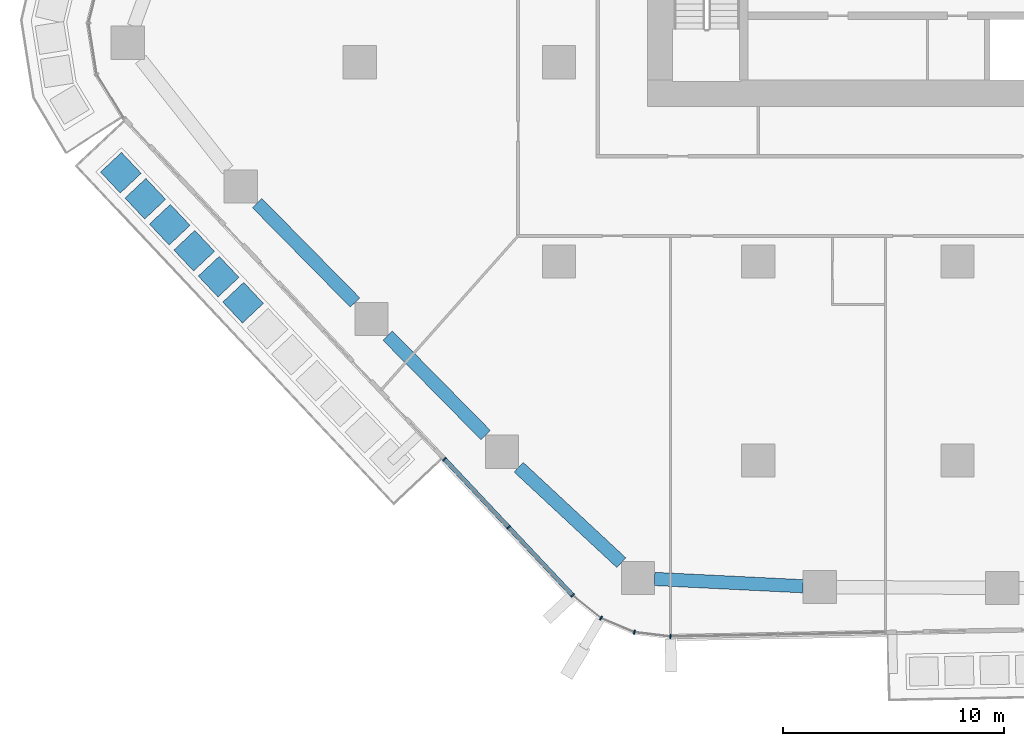
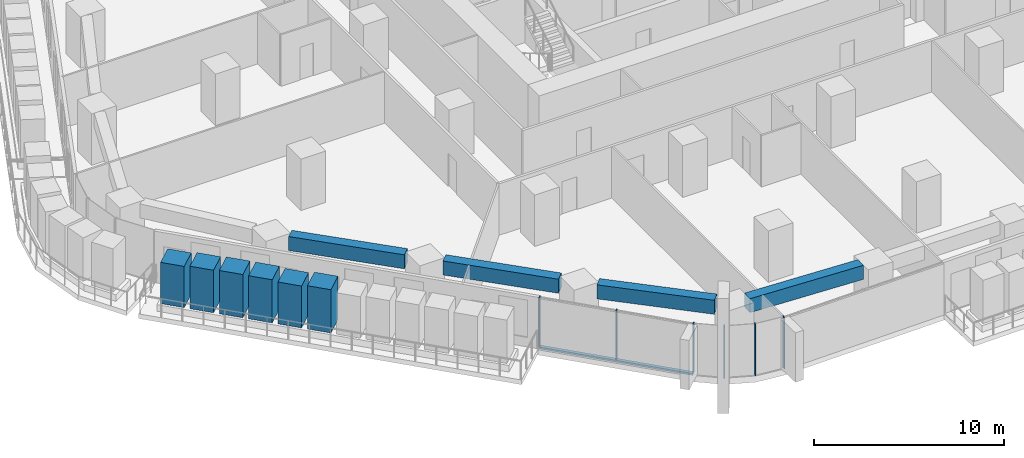
# One storey, part 2 of 25: 13 members, 4 beams, 2 elements without a shape of their own.
"""IFC4 building model written with IfcOpenShell, lengths in metres."""

import ifcopenshell
import ifcopenshell.guid

model = None  # the IFC model being written
_history = None  # IfcOwnerHistory: only IFC2X3 demands one
_inside = {}  # id of a spatial element -> (the spatial element, [elements in it])
_under = {}  # id of a project, library or spatial element -> (it, [spatial elements below it])
_declared = {}  # id of a project -> (the project, [libraries it declares])
_typed = {}  # id of a type object -> (the type object, [elements of that type])
_made_of = {}  # id of a material, layer set ... -> (it, [elements and type objects made of it])


def new_model(schema):
    """Start an empty IFC model of exactly this schema.

    Asked for "IFC4X3", IfcOpenShell would pick the latest addendum, in which some entities
    have other attributes; the version numbers below select the first issue.
    IFC2X3 requires an IfcOwnerHistory on every rooted entity: one is made here for all.
    """
    global model, _history
    if schema == "IFC4X3":
        model = ifcopenshell.file(schema_version=(4, 3, 0, 0))
    else:
        model = ifcopenshell.file(schema=schema)
    _inside.clear()
    _under.clear()
    _declared.clear()
    _typed.clear()
    _made_of.clear()
    _history = None
    if model.schema == "IFC2X3":
        org = make("IfcOrganization", Name="unknown")
        user = make(
            "IfcPersonAndOrganization",
            ThePerson=make("IfcPerson", FamilyName="unknown"),
            TheOrganization=org,
        )
        app = make(
            "IfcApplication",
            ApplicationDeveloper=org,
            Version="unknown",
            ApplicationFullName="unknown",
            ApplicationIdentifier="unknown",
        )
        _history = make(
            "IfcOwnerHistory",
            OwningUser=user,
            OwningApplication=app,
            ChangeAction="ADDED",
            CreationDate=0,
        )
    return model


def make(cls, **values):
    """One entity of the class cls with the attributes given. An attribute that is None is left unset."""
    return model.create_entity(
        cls, **{name: value for name, value in values.items() if value is not None}
    )


def rooted(cls, **values):
    """An entity with a GlobalId (a new one), such as an element, a storey or a relation."""
    return make(cls, GlobalId=ifcopenshell.guid.new(), OwnerHistory=_history, **values)


def si_unit(unit_type, name, prefix=None):
    """IfcSIUnit, for example si_unit("LENGTHUNIT", "METRE", prefix="MILLI")."""
    return make("IfcSIUnit", UnitType=unit_type, Prefix=prefix, Name=name)


def assignment(units):
    """IfcUnitAssignment: the units of a project."""
    return None if units is None else make("IfcUnitAssignment", Units=units)


def point(xyz):
    """IfcCartesianPoint."""
    return None if xyz is None else make("IfcCartesianPoint", Coordinates=xyz)


def direction(xyz):
    """IfcDirection."""
    return None if xyz is None else make("IfcDirection", DirectionRatios=xyz)


def frame(location, z_axis=None, x_axis=None):
    """IfcAxis2Placement3D, a coordinate frame: its origin and axes. An axis left out is left unset."""
    return make(
        "IfcAxis2Placement3D",
        Location=point(location),
        Axis=direction(z_axis),
        RefDirection=direction(x_axis),
    )


def frame_2d(location, x_axis=None):
    """IfcAxis2Placement2D, a coordinate frame in the plane: its origin and x axis."""
    return make(
        "IfcAxis2Placement2D", Location=point(location), RefDirection=direction(x_axis)
    )


def origin():
    """The frame at (0, 0, 0) with its axes left unset."""
    return frame((0.0, 0.0, 0.0))


def origin_2d():
    """The frame at (0, 0) in the plane with its x axis left unset."""
    return frame_2d((0.0, 0.0))


def place(relative_to, where):
    """IfcLocalPlacement: puts the frame where relative to a parent placement (None: the world)."""
    return make(
        "IfcLocalPlacement", PlacementRelTo=relative_to, RelativePlacement=where
    )


def context(
    kind, dimensions, precision=None, world=None, true_north=None, identifier=None
):
    """IfcGeometricRepresentationContext, for example the 3D "Model" context."""
    return make(
        "IfcGeometricRepresentationContext",
        ContextIdentifier=identifier,
        ContextType=kind,
        CoordinateSpaceDimension=dimensions,
        Precision=precision,
        WorldCoordinateSystem=world,
        TrueNorth=true_north,
    )


def subcontext(parent, identifier, kind, view, scale=None):
    """IfcGeometricRepresentationSubContext, for example "Body" below "Model"."""
    return make(
        "IfcGeometricRepresentationSubContext",
        ContextIdentifier=identifier,
        ContextType=kind,
        ParentContext=parent,
        TargetScale=scale,
        TargetView=view,
    )


def project(units=None, contexts=None):
    """IfcProject with its units and contexts."""
    return rooted(
        "IfcProject",
        Name="project",
        RepresentationContexts=contexts,
        UnitsInContext=assignment(units),
    )


def spatial(cls, under=None, at=None, **own):
    """A site, building, storey or space (cls), placed at a placement, below another one or the project."""
    s = rooted(cls, ObjectPlacement=at, **own)
    if under is not None:
        _under.setdefault(under.id(), (under, []))[1].append(s)
    return s


def profile(cls, at=None, kind="AREA", **sizes):
    """A parametric profile (cls). Its sizes go by their IFC names, for example OverallWidth=200.0."""
    return make(cls, ProfileType=kind, Position=at, **sizes)


def rectangle(**sizes):
    """IfcRectangleProfileDef."""
    return profile("IfcRectangleProfileDef", **sizes)


def extrude(swept, where, along, depth):
    """IfcExtrudedAreaSolid: the profile swept, set in the frame where, extruded along a direction by depth."""
    return make(
        "IfcExtrudedAreaSolid",
        SweptArea=swept,
        Position=where,
        ExtrudedDirection=direction(along),
        Depth=depth,
    )


def shape(context_of_items, identifier, shape_type, items):
    """IfcShapeRepresentation: the items that make up one representation, for example the "Body"."""
    return make(
        "IfcShapeRepresentation",
        ContextOfItems=context_of_items,
        RepresentationIdentifier=identifier,
        RepresentationType=shape_type,
        Items=items,
    )


def material(Name=None, Category=None):
    """IfcMaterial."""
    return make("IfcMaterial", Name=Name, Category=Category)


def layer(
    of_material, thickness, ventilated=None, Name=None, Category=None, Priority=None
):
    """IfcMaterialLayer: one layer of a wall or slab, of a material (None: an air gap)."""
    return make(
        "IfcMaterialLayer",
        Material=of_material,
        LayerThickness=thickness,
        IsVentilated=ventilated,
        Name=Name,
        Category=Category,
        Priority=Priority,
    )


def layer_set(layers, Name=None):
    """IfcMaterialLayerSet."""
    return make("IfcMaterialLayerSet", MaterialLayers=layers, LayerSetName=Name)


def material_profile(
    of_material, cross_section, Name=None, Category=None, Priority=None
):
    """IfcMaterialProfile: a cross section and its material."""
    return make(
        "IfcMaterialProfile",
        Name=Name,
        Material=of_material,
        Profile=cross_section,
        Priority=Priority,
        Category=Category,
    )


def profile_set(profiles, Name=None, composite=None):
    """IfcMaterialProfileSet."""
    return make(
        "IfcMaterialProfileSet",
        Name=Name,
        MaterialProfiles=profiles,
        CompositeProfile=composite,
    )


def made_of(thing, what):
    """Note that an element or type object is made of a material, layer set ...; save() writes the relation."""
    if what is not None:
        _made_of.setdefault(what.id(), (what, []))[1].append(thing)
    return thing


def type_object(cls, material=None, **own):
    """A type object (cls), such as IfcWallType, which elements share."""
    return made_of(rooted(cls, **own), material)


def element(
    cls,
    number,
    at=None,
    inside=None,
    cuts=None,
    type_object=None,
    material=None,
    context=None,
    identifier="Body",
    shape_type=None,
    held_by="IfcProductDefinitionShape",
    body=None,
    shapes=None,
    **own,
):
    """One element of the class cls, such as IfcWall. Its Tag is "e" and its number.

    at: its placement. inside: the storey or other place that contains it. cuts: it is an
    opening in that element (IfcRelVoidsElement). A single representation is given by context,
    identifier, shape_type and body (its items); several are given by shapes. held_by: the class
    of the entity that holds the representations. save() writes the other relations.
    """
    e = rooted(cls, Tag="e%d" % number, ObjectPlacement=at, **own)
    if body is not None:
        shapes = [shape(context, identifier, shape_type, body)]
    if shapes is not None:
        e.Representation = make(held_by, Representations=shapes)
    if inside is not None:
        _inside.setdefault(inside.id(), (inside, []))[1].append(e)
    if cuts is not None:
        rooted(
            "IfcRelVoidsElement", RelatingBuildingElement=cuts, RelatedOpeningElement=e
        )
    if type_object is not None:
        _typed.setdefault(type_object.id(), (type_object, []))[1].append(e)
    return made_of(e, material)


def aggregate(whole, parts):
    """IfcRelAggregates: a whole, such as a stair, and the parts it consists of."""
    return rooted("IfcRelAggregates", RelatingObject=whole, RelatedObjects=parts)


def save(model, path):
    """Write the relations noted so far, then the file.

    IfcRelAggregates (storeys below a building ...), IfcRelContainedInSpatialStructure (elements
    in a storey), IfcRelDefinesByType, IfcRelAssociatesMaterial and IfcRelDeclares: one each for
    every whole, place, type object, material and project.
    """
    for whole, parts in _under.values():
        aggregate(whole, parts)
    for where, things in _inside.values():
        rooted(
            "IfcRelContainedInSpatialStructure",
            RelatedElements=things,
            RelatingStructure=where,
        )
    for kind, things in _typed.values():
        rooted("IfcRelDefinesByType", RelatedObjects=things, RelatingType=kind)
    for what, things in _made_of.values():
        rooted("IfcRelAssociatesMaterial", RelatedObjects=things, RelatingMaterial=what)
    for by, libraries in _declared.values():
        rooted("IfcRelDeclares", RelatingContext=by, RelatedDefinitions=libraries)
    model.write(path)


model = new_model("IFC4")

# Units and contexts
model_context = context("Model", 3, precision=1e-05, world=origin(), true_north=direction((0.0, 1.0)))
body_context = subcontext(model_context, "Body", "Model", "MODEL_VIEW")
ifc_project = project(units=[si_unit("LENGTHUNIT", "METRE"), si_unit("AREAUNIT", "SQUARE_METRE"), si_unit("VOLUMEUNIT", "CUBIC_METRE"), si_unit("PLANEANGLEUNIT", "RADIAN"), si_unit("MASSUNIT", "GRAM", prefix="KILO")], contexts=[model_context])

# Site, building, storey
site_placement = place(None, origin())
site = spatial("IfcSite", under=ifc_project, at=site_placement, CompositionType="ELEMENT")
building_placement = place(site_placement, origin())
building = spatial("IfcBuilding", under=site, at=building_placement, Name="Dongbaek Canopy Tower", CompositionType="ELEMENT")
storey_placement = place(building_placement, frame((0.0, 0.0, 77.300048828125)))
storey = spatial("IfcBuildingStorey", under=building, at=storey_placement, Name="L15", CompositionType="ELEMENT", Elevation=77.300048828125)

# Curtain wall, members
ifc_material_1 = material(Name="Aluminium 6063-T6 pale anodised", Category="aluminium")
ifc_layer = layer(ifc_material_1, 0.199951171875)
ifc_layer_set = layer_set([ifc_layer], Name="CW-1 unitised tower curtain wall")
curtain_wall_type = type_object("IfcCurtainWallType", Name="CW-1 unitised tower curtain wall", PredefinedType="NOTDEFINED", material=ifc_layer_set)
curtain_wall_1_placement = place(storey_placement, origin())
curtain_wall_1 = element("IfcCurtainWall", 1, at=curtain_wall_1_placement, inside=storey, type_object=curtain_wall_type, Name="CW-1 curtain wall F3.1", PredefinedType="NOTDEFINED")
ifc_material_2 = material(Name="Aluminium 6063-T6 pale anodised", Category="aluminium")
ifc_material_profile_1 = material_profile(ifc_material_2, rectangle(XDim=0.199951171875, YDim=0.06005859375, at=origin_2d()), Name="CW-1 mullion 60 x 200")
ifc_profile_set_1 = profile_set([ifc_material_profile_1], Name="Aluminium 6063-T6 pale anodised")
member_type_1 = type_object("IfcMemberType", Name="CW-1 mullion 60 x 200", PredefinedType="MULLION", material=ifc_profile_set_1)
member_1_placement = place(storey_placement, frame((-23.175537109375, -26.934326171875, 0.119873046875), z_axis=(0.0, 0.0, 1.0), x_axis=(-0.728584719372, -0.684955696886, 0.0)))
member_1 = element("IfcMember", 2, at=member_1_placement, type_object=member_type_1, Name="CW-1 mullion F3.1.1", PredefinedType="MULLION", context=body_context, shape_type="SweptSolid", body=[
    extrude(rectangle(XDim=0.199951171875, YDim=0.06005859375, at=origin_2d()), origin(), (0.0, 0.0, 1.0), 3.18017578125),
])
member_2_placement = place(storey_placement, frame((-20.2783203125, -30.016357421875, 0.119873046875), z_axis=(0.0, 0.0, 1.0), x_axis=(-0.728584719372, -0.684955696886, 0.0)))
member_2 = element("IfcMember", 3, at=member_2_placement, type_object=member_type_1, Name="CW-1 mullion F3.1.2", PredefinedType="MULLION", context=body_context, shape_type="SweptSolid", body=[
    extrude(rectangle(XDim=0.199951171875, YDim=0.06005859375, at=origin_2d()), origin(), (0.0, 0.0, 1.0), 3.18017578125),
])
member_3_placement = place(storey_placement, frame((-17.3857421875, -33.093017578125, 0.119873046875), z_axis=(0.0, 0.0, 1.0), x_axis=(-0.728584719372, -0.684955696886, 0.0)))
member_3 = element("IfcMember", 4, at=member_3_placement, type_object=member_type_1, Name="CW-1 mullion F3.1.3", PredefinedType="MULLION", context=body_context, shape_type="SweptSolid", body=[
    extrude(rectangle(XDim=0.199951171875, YDim=0.06005859375, at=origin_2d()), origin(), (0.0, 0.0, 1.0), 3.18017578125),
])

curtain_wall_2_placement = place(storey_placement, origin())
curtain_wall_2 = element("IfcCurtainWall", 5, at=curtain_wall_2_placement, inside=storey, type_object=curtain_wall_type, Name="CW-1 curtain wall K4.1", PredefinedType="NOTDEFINED")
member_4_placement = place(storey_placement, frame((-16.104248046875, -34.123046875, 0.0), z_axis=(0.0, 0.0, 1.0), x_axis=(-0.512291878436, -0.858811406124, 0.0)))
member_4 = element("IfcMember", 6, at=member_4_placement, type_object=member_type_1, Name="CW-1 mullion K4.1.2", PredefinedType="MULLION", context=body_context, shape_type="SweptSolid", body=[
    extrude(rectangle(XDim=0.199951171875, YDim=0.06005859375, at=origin_2d()), origin(), (0.0, 0.0, 1.0), 3.300048828125),
])
member_5_placement = place(storey_placement, frame((-14.595703125, -34.758544921875, 0.0), z_axis=(0.0, 0.0, 1.0), x_axis=(-0.256548259262, -0.966531422495, 0.0)))
member_5 = element("IfcMember", 7, at=member_5_placement, type_object=member_type_1, Name="CW-1 mullion K4.1.3", PredefinedType="MULLION", context=body_context, shape_type="SweptSolid", body=[
    extrude(rectangle(XDim=0.199951171875, YDim=0.06005859375, at=origin_2d()), origin(), (0.0, 0.0, 1.0), 3.300048828125),
])
member_6_placement = place(storey_placement, frame((-12.963623046875, -34.955810546875, 0.0), z_axis=(0.0, 0.0, 1.0), x_axis=(-0.119958603523, -0.992778894538, 0.0)))
member_6 = element("IfcMember", 8, at=member_6_placement, type_object=member_type_1, Name="CW-1 mullion K4.1.4", PredefinedType="MULLION", context=body_context, shape_type="SweptSolid", body=[
    extrude(rectangle(XDim=0.199951171875, YDim=0.06005859375, at=origin_2d()), origin(), (0.0, 0.0, 1.0), 3.300048828125),
])
aggregate(curtain_wall_2, [member_4, member_5, member_6])

# Member
ifc_material_3 = material(Name="Aluminium 6063-T6 pale anodised", Category="aluminium")
ifc_material_profile_2 = material_profile(ifc_material_3, rectangle(XDim=0.199951171875, YDim=0.1201171875, at=origin_2d()), Name="CW-1 transom 120 x 200")
ifc_profile_set_2 = profile_set([ifc_material_profile_2], Name="Aluminium 6063-T6 pale anodised")
member_type_2 = type_object("IfcMemberType", Name="CW-1 transom 120 x 200", PredefinedType="USERDEFINED", material=ifc_profile_set_2)
member_7_placement = place(storey_placement, frame((-23.175537109375, -26.934326171875, 0.06005859375), z_axis=(0.684949262012, -0.72859076886, 0.0), x_axis=(0.72859076886, 0.684949262012, 0.0)))
member_7 = element("IfcMember", 9, at=member_7_placement, type_object=member_type_2, Name="CW-1 transom F3.1.1", ObjectType="TRANSOM", PredefinedType="USERDEFINED", context=body_context, shape_type="SweptSolid", body=[
    extrude(rectangle(XDim=0.199951171875, YDim=0.1201171875, at=origin_2d()), origin(), (0.0, 0.0, 1.0), 8.452880859375),
])

aggregate(curtain_wall_1, [member_1, member_2, member_3, member_7])

# Beams
ifc_material_4 = material(Name="Concrete C80", Category="concrete")
ifc_material_profile_3 = material_profile(ifc_material_4, rectangle(XDim=0.60009765625, YDim=0.89990234375, at=origin_2d()), Name="RC EDGE BEAM 600x900 C80")
ifc_profile_set_3 = profile_set([ifc_material_profile_3], Name="Concrete C80")
beam_type = type_object("IfcBeamType", Name="RC EDGE BEAM 600x900 C80", PredefinedType="BEAM", material=ifc_profile_set_3)
beam_1_placement = place(storey_placement, frame((-6.971923828125, -32.68017578125, 2.849853515625), z_axis=(-0.998791258722, 0.049153041612, 0.0), x_axis=(-0.049153041612, -0.998791258722, 0.0)))
element("IfcBeam", 10, at=beam_1_placement, inside=storey, type_object=beam_type, Name="EDGEBEAM:L15:03", PredefinedType="BEAM", context=body_context, shape_type="SweptSolid", body=[
    extrude(rectangle(XDim=0.60009765625, YDim=0.89990234375, at=origin_2d()), origin(), (0.0, 0.0, 1.0), 6.72021484375),
])
beam_2_placement = place(storey_placement, frame((-15.18408203125, -31.615478515625, 2.849853515625), z_axis=(-0.732207291567, 0.681081846899, 0.0), x_axis=(-0.681081846899, -0.732207291567, 0.0)))
element("IfcBeam", 11, at=beam_2_placement, inside=storey, type_object=beam_type, Name="EDGEBEAM:L15:04", PredefinedType="BEAM", context=body_context, shape_type="SweptSolid", body=[
    extrude(rectangle(XDim=0.60009765625, YDim=0.89990234375, at=origin_2d()), origin(), (0.0, 0.0, 1.0), 6.3369140625),
])
beam_3_placement = place(storey_placement, frame((-21.312744140625, -25.85205078125, 2.849853515625), z_axis=(-0.701726082417, 0.712446843811, 0.0), x_axis=(-0.712446843811, -0.701726082417, 0.0)))
element("IfcBeam", 12, at=beam_3_placement, inside=storey, type_object=beam_type, Name="EDGEBEAM:L15:05", PredefinedType="BEAM", context=body_context, shape_type="SweptSolid", body=[
    extrude(rectangle(XDim=0.60009765625, YDim=0.89990234375, at=origin_2d()), origin(), (0.0, 0.0, 1.0), 6.30810546875),
])
beam_4_placement = place(storey_placement, frame((-27.216552734375, -19.85791015625, 2.849853515625), z_axis=(-0.701687682569, 0.712484663787, 0.0), x_axis=(-0.712484663787, -0.701687682569, 0.0)))
element("IfcBeam", 13, at=beam_4_placement, inside=storey, type_object=beam_type, Name="EDGEBEAM:L15:06", PredefinedType="BEAM", context=body_context, shape_type="SweptSolid", body=[
    extrude(rectangle(XDim=0.60009765625, YDim=0.89990234375, at=origin_2d()), origin(), (0.0, 0.0, 1.0), 6.308837890625),
])

# Members
ifc_material_5 = material(Name="Concrete C40/50 planter mass with planting", Category="concrete")
ifc_material_profile_4 = material_profile(ifc_material_5, rectangle(XDim=1.300048828125, YDim=1.300048828125, at=origin_2d()), Name="Terrace PLANTER shrub mass 1300 x 1300")
ifc_profile_set_4 = profile_set([ifc_material_profile_4], Name="Concrete C40/50 planter mass with planting")
member_type_3 = type_object("IfcMemberType", Name="Terrace PLANTER shrub mass 1300 x 1300", PredefinedType="USERDEFINED", material=ifc_profile_set_4)
member_8_placement = place(storey_placement, frame((-37.7978515625, -13.994140625, 0.419921875), z_axis=(0.0, 0.0, 1.0), x_axis=(-0.728584719372, -0.684955696886, 0.0)))
element("IfcMember", 14, at=member_8_placement, inside=storey, type_object=member_type_3, Name="Planter shrubs L15 3.1", ObjectType="PLANTER", PredefinedType="USERDEFINED", context=body_context, shape_type="SweptSolid", body=[
    extrude(rectangle(XDim=1.300048828125, YDim=1.300048828125, at=origin_2d()), origin(), (0.0, 0.0, 1.0), 2.650146484375),
])
member_9_placement = place(storey_placement, frame((-36.693359375, -15.1689453125, 0.419921875), z_axis=(0.0, 0.0, 1.0), x_axis=(-0.728584719372, -0.684955696886, 0.0)))
element("IfcMember", 15, at=member_9_placement, inside=storey, type_object=member_type_3, Name="Planter shrubs L15 3.2", ObjectType="PLANTER", PredefinedType="USERDEFINED", context=body_context, shape_type="SweptSolid", body=[
    extrude(rectangle(XDim=1.300048828125, YDim=1.300048828125, at=origin_2d()), origin(), (0.0, 0.0, 1.0), 2.72998046875),
])
member_10_placement = place(storey_placement, frame((-35.5888671875, -16.34375, 0.419921875), z_axis=(0.0, 0.0, 1.0), x_axis=(-0.728584719372, -0.684955696886, 0.0)))
element("IfcMember", 16, at=member_10_placement, inside=storey, type_object=member_type_3, Name="Planter shrubs L15 3.3", ObjectType="PLANTER", PredefinedType="USERDEFINED", context=body_context, shape_type="SweptSolid", body=[
    extrude(rectangle(XDim=1.300048828125, YDim=1.300048828125, at=origin_2d()), origin(), (0.0, 0.0, 1.0), 2.780029296875),
])
member_11_placement = place(storey_placement, frame((-34.484375, -17.5185546875, 0.419921875), z_axis=(0.0, 0.0, 1.0), x_axis=(-0.728584719372, -0.684955696886, 0.0)))
element("IfcMember", 17, at=member_11_placement, inside=storey, type_object=member_type_3, Name="Planter shrubs L15 3.4", ObjectType="PLANTER", PredefinedType="USERDEFINED", context=body_context, shape_type="SweptSolid", body=[
    extrude(rectangle(XDim=1.300048828125, YDim=1.300048828125, at=origin_2d()), origin(), (0.0, 0.0, 1.0), 2.77001953125),
])
member_12_placement = place(storey_placement, frame((-33.3798828125, -18.693359375, 0.419921875), z_axis=(0.0, 0.0, 1.0), x_axis=(-0.728584719372, -0.684955696886, 0.0)))
element("IfcMember", 18, at=member_12_placement, inside=storey, type_object=member_type_3, Name="Planter shrubs L15 3.5", ObjectType="PLANTER", PredefinedType="USERDEFINED", context=body_context, shape_type="SweptSolid", body=[
    extrude(rectangle(XDim=1.300048828125, YDim=1.300048828125, at=origin_2d()), origin(), (0.0, 0.0, 1.0), 2.68994140625),
])
member_13_placement = place(storey_placement, frame((-32.275390625, -19.8681640625, 0.419921875), z_axis=(0.0, 0.0, 1.0), x_axis=(-0.728584719372, -0.684955696886, 0.0)))
element("IfcMember", 19, at=member_13_placement, inside=storey, type_object=member_type_3, Name="Planter shrubs L15 3.6", ObjectType="PLANTER", PredefinedType="USERDEFINED", context=body_context, shape_type="SweptSolid", body=[
    extrude(rectangle(XDim=1.300048828125, YDim=1.300048828125, at=origin_2d()), origin(), (0.0, 0.0, 1.0), 2.780029296875),
])

save(model, "model.ifc")
